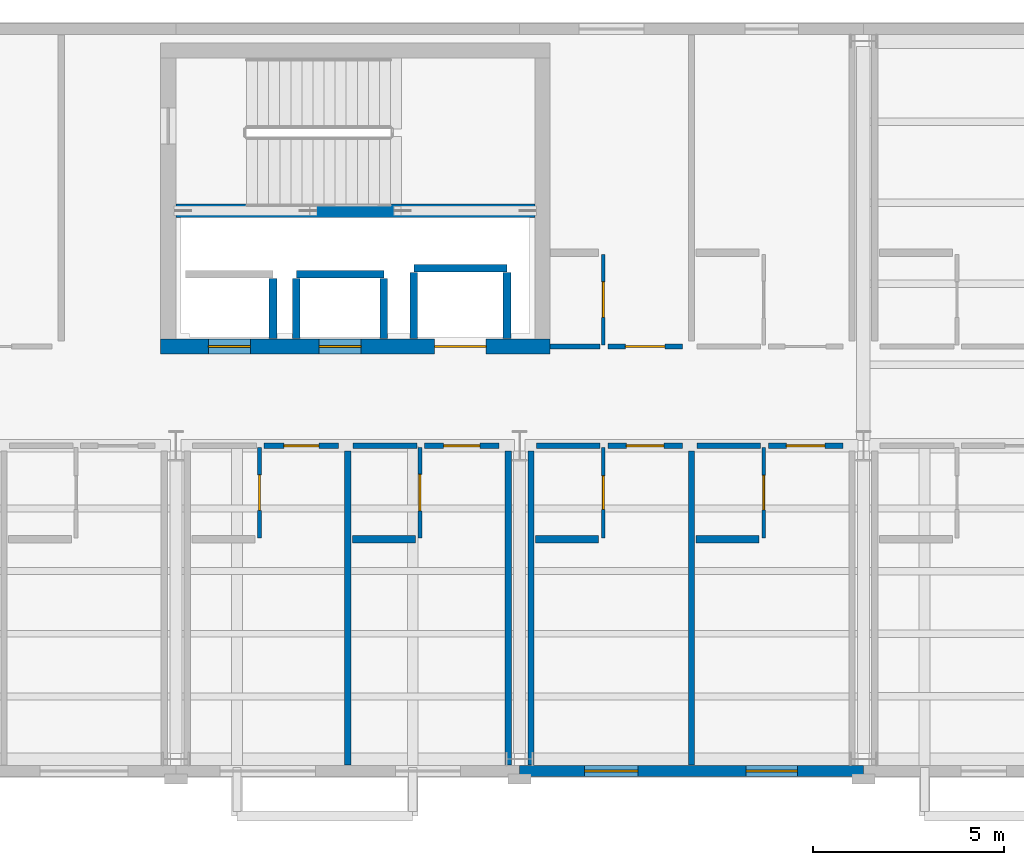
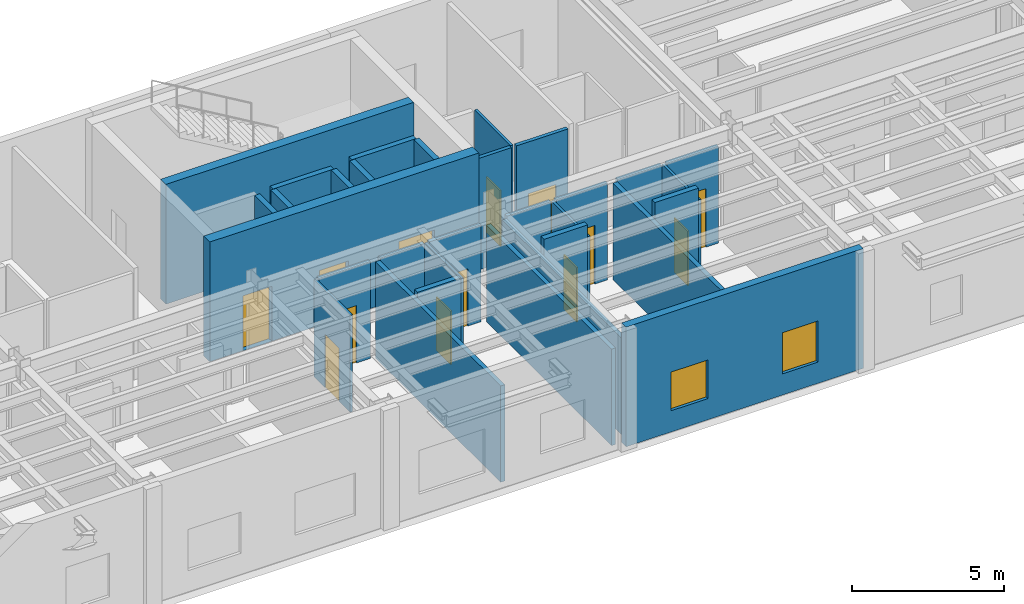
# One storey, part 71 of 91: 31 walls, 13 doors, 2 windows, 15 openings.
"""IFC4 building model written with IfcOpenShell, lengths in metres."""

from ifc_helpers import new_model, si_unit, direction, frame, frame_2d, origin, place, context, subcontext, project, spatial, rectangle, extrude, material, layer, layer_set, type_object, element, fill, save


model = new_model("IFC4")

# Units and contexts
model_context = context("Model", 3, precision=1e-05, world=origin(), true_north=direction((0.0, 1.0)))
body_context = subcontext(model_context, "Body", "Model", "MODEL_VIEW")
ifc_project = project(units=[si_unit("LENGTHUNIT", "METRE"), si_unit("AREAUNIT", "SQUARE_METRE"), si_unit("VOLUMEUNIT", "CUBIC_METRE"), si_unit("PLANEANGLEUNIT", "RADIAN"), si_unit("MASSUNIT", "GRAM", prefix="KILO")], contexts=[model_context])

# Site, building, storey
site_placement = place(None, origin())
site = spatial("IfcSite", under=ifc_project, at=site_placement, CompositionType="ELEMENT")
building_placement = place(site_placement, origin())
building = spatial("IfcBuilding", under=site, at=building_placement, Name="Sollismere Congress Hotel", CompositionType="ELEMENT")
storey_placement = place(building_placement, frame((0.0, 0.0, 10.800048828125)))
storey = spatial("IfcBuildingStorey", under=building, at=storey_placement, Name="L02", CompositionType="ELEMENT", Elevation=10.800048828125)

# Wall, openings, windows
ifc_material_1 = material(Name="Colorado Buff Sandstone Rainscreen on Insulated Backup", Category="masonry")
ifc_layer_1 = layer(ifc_material_1, 0.284912109375, Name="Colorado Buff Sandstone Rainscreen on Insulated Backup")
ifc_layer_set_1 = layer_set([ifc_layer_1], Name="Colorado Buff Sandstone Rainscreen on Insulated Backup")
wall_type_1 = type_object("IfcWallType", Name="WL-EXT285", PredefinedType="STANDARD", material=ifc_layer_set_1)
wall_1_placement = place(storey_placement, frame((103.0, -0.31005859375, 0.0), z_axis=(0.0, 0.0, 1.0), x_axis=(1.0, 0.0, 0.0)))
wall_1 = element("IfcWall", 1, at=wall_1_placement, inside=storey, type_object=wall_type_1, Name="Exterior wall EW-L02-342", PredefinedType="STANDARD", context=body_context, shape_type="SweptSolid", body=[
    extrude(rectangle(XDim=9.0, YDim=0.284912109375, at=frame_2d((4.5, 0.0))), origin(), (0.0, 0.0, 1.0), 4.800048828125),
])
opening_1_placement = place(wall_1_placement, frame((1.699951171875, 0.0, 0.85009765625)))
opening_1 = element("IfcOpeningElement", 2, at=opening_1_placement, cuts=wall_1, Name="Opening W-L02-275", PredefinedType="OPENING", context=body_context, shape_type="SweptSolid", body=[
    extrude(rectangle(XDim=1.39990234375, YDim=1.550048828125, at=frame_2d((0.699951171875, 0.77490234375))), frame((0.0, 0.15234375, 0.0), z_axis=(0.0, -1.0, 0.0), x_axis=(1.0, 0.0, 0.0)), (0.0, 0.0, 1.0), 0.304931640625),
])
opening_2_placement = place(wall_1_placement, frame((5.925048828125, 0.0, 0.85009765625)))
opening_2 = element("IfcOpeningElement", 3, at=opening_2_placement, cuts=wall_1, Name="Opening W-L02-276", PredefinedType="OPENING", context=body_context, shape_type="SweptSolid", body=[
    extrude(rectangle(XDim=1.35009765625, YDim=1.64990234375, at=frame_2d((0.675048828125, 0.824951171875))), frame((0.0, 0.15234375, 0.0), z_axis=(0.0, -1.0, 0.0), x_axis=(1.0, 0.0, 0.0)), (0.0, 0.0, 1.0), 0.304931640625),
])
ifc_material_2 = material(Name="Thermally Broken Bronze Aluminum & Low-E Glass", Category="aluminium")
window_type_1 = type_object("IfcWindowType", Name="WN-P135x165", PartitioningType="SINGLE_PANEL", PredefinedType="WINDOW", material=ifc_material_2)
window_1_placement = place(opening_2_placement, origin())
window_1 = element("IfcWindow", 4, at=window_1_placement, inside=storey, type_object=window_type_1, Name="WIN-W-L02-276", OverallHeight=1.64990234375, OverallWidth=1.35009765625, PartitioningType="SINGLE_PANEL", PredefinedType="WINDOW", context=body_context, shape_type="SweptSolid", body=[
    extrude(rectangle(XDim=1.35009765625, YDim=1.64990234375, at=frame_2d((0.675048828125, 0.824951171875))), frame((0.0, 0.030029296875, 0.0), z_axis=(0.0, -1.0, 0.0), x_axis=(1.0, 0.0, 0.0)), (0.0, 0.0, 1.0), 0.06005859375),
])
fill(opening_2, window_1)
window_type_2 = type_object("IfcWindowType", Name="WN-P140x155", PartitioningType="SINGLE_PANEL", PredefinedType="WINDOW", material=ifc_material_2)
window_2_placement = place(opening_1_placement, origin())
window_2 = element("IfcWindow", 5, at=window_2_placement, inside=storey, type_object=window_type_2, Name="WIN-W-L02-275", OverallHeight=1.550048828125, OverallWidth=1.39990234375, PartitioningType="SINGLE_PANEL", PredefinedType="WINDOW", context=body_context, shape_type="SweptSolid", body=[
    extrude(rectangle(XDim=1.39990234375, YDim=1.550048828125, at=frame_2d((0.699951171875, 0.77490234375))), frame((0.0, 0.030029296875, 0.0), z_axis=(0.0, -1.0, 0.0), x_axis=(1.0, 0.0, 0.0)), (0.0, 0.0, 1.0), 0.06005859375),
])
fill(opening_1, window_2)

# Walls
ifc_material_3 = material(Name="Moisture-Resistant Shaft Gypsum Assembly")
ifc_layer_2 = layer(ifc_material_3, 0.199951171875, Name="Moisture-Resistant Shaft Gypsum Assembly")
ifc_layer_set_2 = layer_set([ifc_layer_2], Name="Moisture-Resistant Shaft Gypsum Assembly")
wall_type_2 = type_object("IfcWallType", Name="WL-PLM200", PredefinedType="PLUMBINGWALL", material=ifc_layer_set_2)
wall_2_placement = place(storey_placement, frame((96.544921875, 11.011962890625, 0.0), z_axis=(0.0, 0.0, 1.0), x_axis=(0.0, 1.0, 0.0)))
element("IfcWall", 6, at=wall_2_placement, inside=storey, type_object=wall_type_2, Name="Interior wall IW-L02-0254", PredefinedType="PLUMBINGWALL", context=body_context, shape_type="SweptSolid", body=[
    extrude(rectangle(XDim=1.56591796875, YDim=0.199951171875, at=frame_2d((0.782958984375, 0.0))), origin(), (0.0, 0.0, 1.0), 4.474853515625),
])
wall_3_placement = place(storey_placement, frame((97.155029296875, 12.68994140625, 0.0), z_axis=(0.0, 0.0, 1.0), x_axis=(1.0, 0.0, 0.0)))
element("IfcWall", 7, at=wall_3_placement, inside=storey, type_object=wall_type_2, Name="Interior wall IW-L02-0255", PredefinedType="PLUMBINGWALL", context=body_context, shape_type="SweptSolid", body=[
    extrude(rectangle(XDim=2.2900390625, YDim=0.199951171875, at=frame_2d((1.14501953125, 0.0))), origin(), (0.0, 0.0, 1.0), 4.474853515625),
])
for number, where, z_axis, x_axis, name in (
    (8, (97.155029296875, 11.011962890625, 0.0), (0.0, 0.0, 1.0), (0.0, 1.0, 0.0), "Interior wall IW-L02-0256"),
    (9, (99.445068359375, 11.011962890625, 0.0), (0.0, 0.0, 1.0), (0.0, 1.0, 0.0), "Interior wall IW-L02-0257"),
):
    element("IfcWall", number, at=place(storey_placement, frame(where, z_axis=z_axis, x_axis=x_axis)), inside=storey, type_object=wall_type_2, Name=name, PredefinedType="PLUMBINGWALL", context=body_context, shape_type="SweptSolid", body=[
        extrude(rectangle(XDim=1.56591796875, YDim=0.199951171875, at=frame_2d((0.782958984375, 0.0))), origin(), (0.0, 0.0, 1.0), 4.474853515625),
    ])
wall_4_placement = place(storey_placement, frame((100.22998046875, 12.844970703125, 0.0), z_axis=(0.0, 0.0, 1.0), x_axis=(1.0, 0.0, 0.0)))
element("IfcWall", 10, at=wall_4_placement, inside=storey, type_object=wall_type_2, Name="Interior wall IW-L02-0258", PredefinedType="PLUMBINGWALL", context=body_context, shape_type="SweptSolid", body=[
    extrude(rectangle(XDim=2.43994140625, YDim=0.199951171875, at=frame_2d((1.219970703125, 0.0))), origin(), (0.0, 0.0, 1.0), 4.474853515625),
])
for number, where, z_axis, x_axis, name in (
    (11, (100.22998046875, 11.011962890625, 0.0), (0.0, 0.0, 1.0), (0.0, 1.0, 0.0), "Interior wall IW-L02-0259"),
    (12, (102.669921875, 11.011962890625, 0.0), (0.0, 0.0, 1.0), (0.0, 1.0, 0.0), "Interior wall IW-L02-0260"),
):
    element("IfcWall", number, at=place(storey_placement, frame(where, z_axis=z_axis, x_axis=x_axis)), inside=storey, type_object=wall_type_2, Name=name, PredefinedType="PLUMBINGWALL", context=body_context, shape_type="SweptSolid", body=[
        extrude(rectangle(XDim=1.720947265625, YDim=0.199951171875, at=frame_2d((0.8603515625, 0.0))), origin(), (0.0, 0.0, 1.0), 4.474853515625),
    ])
wall_5_placement = place(storey_placement, frame((98.6201171875, 5.75, 0.0), z_axis=(0.0, 0.0, 1.0), x_axis=(1.0, 0.0, 0.0)))
element("IfcWall", 13, at=wall_5_placement, inside=storey, type_object=wall_type_2, Name="Interior wall IW-L02-1070", PredefinedType="PLUMBINGWALL", context=body_context, shape_type="SweptSolid", body=[
    extrude(rectangle(XDim=1.64990234375, YDim=0.199951171875, at=frame_2d((0.824951171875, 0.0))), origin(), (0.0, 0.0, 1.0), 4.02783203125),
])
wall_6_placement = place(storey_placement, frame((103.419921875, 5.75, 0.0), z_axis=(0.0, 0.0, 1.0), x_axis=(1.0, 0.0, 0.0)))
element("IfcWall", 14, at=wall_6_placement, inside=storey, type_object=wall_type_2, Name="Interior wall IW-L02-1076", PredefinedType="PLUMBINGWALL", context=body_context, shape_type="SweptSolid", body=[
    extrude(rectangle(XDim=1.650146484375, YDim=0.199951171875, at=frame_2d((0.8251953125, 0.0))), origin(), (0.0, 0.0, 1.0), 4.474853515625),
])
wall_7_placement = place(storey_placement, frame((107.6201171875, 5.75, 0.0), z_axis=(0.0, 0.0, 1.0), x_axis=(1.0, 0.0, 0.0)))
element("IfcWall", 15, at=wall_7_placement, inside=storey, type_object=wall_type_2, Name="Interior wall IW-L02-1081", PredefinedType="PLUMBINGWALL", context=body_context, shape_type="SweptSolid", body=[
    extrude(rectangle(XDim=1.64990234375, YDim=0.199951171875, at=frame_2d((0.824951171875, 0.0))), origin(), (0.0, 0.0, 1.0), 4.474853515625),
])

# Wall, opening, door
ifc_material_4 = material(Name="Moisture-Resistant Gypsum Partition")
ifc_layer_3 = layer(ifc_material_4, 0.10009765625, Name="Moisture-Resistant Gypsum Partition")
ifc_layer_set_3 = layer_set([ifc_layer_3], Name="Moisture-Resistant Gypsum Partition")
wall_type_3 = type_object("IfcWallType", Name="WL-PRT100", PredefinedType="PARTITIONING", material=ifc_layer_set_3)
wall_8_placement = place(storey_placement, frame((96.18994140625, 5.7900390625, 0.0), z_axis=(0.0, 0.0, 1.0), x_axis=(0.0, 1.0, 0.0)))
wall_8 = element("IfcWall", 16, at=wall_8_placement, inside=storey, type_object=wall_type_3, Name="Interior wall IW-L02-1064", PredefinedType="PARTITIONING", context=body_context, shape_type="SweptSolid", body=[
    extrude(rectangle(XDim=2.369873046875, YDim=0.10009765625, at=frame_2d((1.18505859375, 0.0))), origin(), (0.0, 0.0, 1.0), 3.887939453125),
])
opening_3_placement = place(wall_8_placement, frame((0.719970703125, 0.0, 0.0)))
opening_3 = element("IfcOpeningElement", 17, at=opening_3_placement, cuts=wall_8, Name="Opening D-L02-0376", PredefinedType="OPENING", context=body_context, shape_type="SweptSolid", body=[
    extrude(rectangle(XDim=0.929931640625, YDim=2.139892578125, at=frame_2d((0.46484375, 1.06982421875))), frame((0.0, 0.06005859375, 0.0), z_axis=(0.0, -1.0, 0.0), x_axis=(1.0, 0.0, 0.0)), (0.0, 0.0, 1.0), 0.1201171875),
])
ifc_material_5 = material(Name="Moisture-Sealed Timber Bathroom Door", Category="wood")
door_type_1 = type_object("IfcDoorType", Name="DR-BT03", OperationType="NOTDEFINED", PredefinedType="DOOR", material=ifc_material_5)
door_1_placement = place(opening_3_placement, origin())
door_1 = element("IfcDoor", 18, at=door_1_placement, inside=storey, type_object=door_type_1, Name="En-suite bathroom door D-L02-0376", OperationType="SINGLE_SWING_LEFT", OverallHeight=2.139892578125, OverallWidth=0.929931640625, PredefinedType="DOOR", context=body_context, shape_type="SweptSolid", body=[
    extrude(rectangle(XDim=0.929931640625, YDim=2.139892578125, at=frame_2d((0.46484375, 1.06982421875))), frame((0.0, 0.02490234375, 0.0), z_axis=(0.0, -1.0, 0.0), x_axis=(1.0, 0.0, 0.0)), (0.0, 0.0, 1.0), 0.050048828125),
])
fill(opening_3, door_1)

wall_9_placement = place(storey_placement, frame((100.389892578125, 5.7900390625, 0.0), z_axis=(0.0, 0.0, 1.0), x_axis=(0.0, 1.0, 0.0)))
wall_9 = element("IfcWall", 19, at=wall_9_placement, inside=storey, type_object=wall_type_3, Name="Interior wall IW-L02-1069", PredefinedType="PARTITIONING", context=body_context, shape_type="SweptSolid", body=[
    extrude(rectangle(XDim=2.369873046875, YDim=0.10009765625, at=frame_2d((1.18505859375, 0.0))), origin(), (0.0, 0.0, 1.0), 3.887939453125),
])
opening_4_placement = place(wall_9_placement, frame((0.7080078125, 0.0, 0.0)))
opening_4 = element("IfcOpeningElement", 20, at=opening_4_placement, cuts=wall_9, Name="Opening D-L02-0378", PredefinedType="OPENING", context=body_context, shape_type="SweptSolid", body=[
    extrude(rectangle(XDim=0.955078125, YDim=2.139892578125, at=frame_2d((0.4775390625, 1.06982421875))), frame((0.0, 0.06005859375, 0.0), z_axis=(0.0, -1.0, 0.0), x_axis=(1.0, 0.0, 0.0)), (0.0, 0.0, 1.0), 0.1201171875),
])
door_type_2 = type_object("IfcDoorType", Name="DR-BT04", OperationType="NOTDEFINED", PredefinedType="DOOR", material=ifc_material_5)
door_2_placement = place(opening_4_placement, origin())
door_2 = element("IfcDoor", 21, at=door_2_placement, inside=storey, type_object=door_type_2, Name="En-suite bathroom door D-L02-0378", OperationType="SINGLE_SWING_LEFT", OverallHeight=2.139892578125, OverallWidth=0.955078125, PredefinedType="DOOR", context=body_context, shape_type="SweptSolid", body=[
    extrude(rectangle(XDim=0.955078125, YDim=2.139892578125, at=frame_2d((0.4775390625, 1.06982421875))), frame((0.0, 0.02490234375, 0.0), z_axis=(0.0, -1.0, 0.0), x_axis=(1.0, 0.0, 0.0)), (0.0, 0.0, 1.0), 0.050048828125),
])
fill(opening_4, door_2)

wall_10_placement = place(storey_placement, frame((105.18994140625, 5.7900390625, 0.0), z_axis=(0.0, 0.0, 1.0), x_axis=(0.0, 1.0, 0.0)))
wall_10 = element("IfcWall", 22, at=wall_10_placement, inside=storey, type_object=wall_type_3, Name="Interior wall IW-L02-1075", PredefinedType="PARTITIONING", context=body_context, shape_type="SweptSolid", body=[
    extrude(rectangle(XDim=2.369873046875, YDim=0.10009765625, at=frame_2d((1.18505859375, 0.0))), origin(), (0.0, 0.0, 1.0), 3.887939453125),
])
opening_5_placement = place(wall_10_placement, frame((0.7451171875, 0.0, 0.0)))
opening_5 = element("IfcOpeningElement", 23, at=opening_5_placement, cuts=wall_10, Name="Opening D-L02-0380", PredefinedType="OPENING", context=body_context, shape_type="SweptSolid", body=[
    extrude(rectangle(XDim=0.8798828125, YDim=2.179931640625, at=frame_2d((0.43994140625, 1.08984375))), frame((0.0, 0.06005859375, 0.0), z_axis=(0.0, -1.0, 0.0), x_axis=(1.0, 0.0, 0.0)), (0.0, 0.0, 1.0), 0.1201171875),
])
door_type_3 = type_object("IfcDoorType", Name="DR-BT05", OperationType="NOTDEFINED", PredefinedType="DOOR", material=ifc_material_5)
door_3_placement = place(opening_5_placement, origin())
door_3 = element("IfcDoor", 24, at=door_3_placement, inside=storey, type_object=door_type_3, Name="En-suite bathroom door D-L02-0380", OperationType="SINGLE_SWING_LEFT", OverallHeight=2.179931640625, OverallWidth=0.8798828125, PredefinedType="DOOR", context=body_context, shape_type="SweptSolid", body=[
    extrude(rectangle(XDim=0.8798828125, YDim=2.179931640625, at=frame_2d((0.43994140625, 1.08984375))), frame((0.0, 0.02490234375, 0.0), z_axis=(0.0, -1.0, 0.0), x_axis=(1.0, 0.0, 0.0)), (0.0, 0.0, 1.0), 0.050048828125),
])
fill(opening_5, door_3)

wall_11_placement = place(storey_placement, frame((109.389892578125, 5.7900390625, 0.0), z_axis=(0.0, 0.0, 1.0), x_axis=(0.0, 1.0, 0.0)))
wall_11 = element("IfcWall", 25, at=wall_11_placement, inside=storey, type_object=wall_type_3, Name="Interior wall IW-L02-1080", PredefinedType="PARTITIONING", context=body_context, shape_type="SweptSolid", body=[
    extrude(rectangle(XDim=2.369873046875, YDim=0.10009765625, at=frame_2d((1.18505859375, 0.0))), origin(), (0.0, 0.0, 1.0), 3.887939453125),
])
opening_6_placement = place(wall_11_placement, frame((0.73291015625, 0.0, 0.0)))
opening_6 = element("IfcOpeningElement", 26, at=opening_6_placement, cuts=wall_11, Name="Opening D-L02-0382", PredefinedType="OPENING", context=body_context, shape_type="SweptSolid", body=[
    extrude(rectangle(XDim=0.905029296875, YDim=2.179931640625, at=frame_2d((0.45263671875, 1.08984375))), frame((0.0, 0.06005859375, 0.0), z_axis=(0.0, -1.0, 0.0), x_axis=(1.0, 0.0, 0.0)), (0.0, 0.0, 1.0), 0.1201171875),
])
door_type_4 = type_object("IfcDoorType", Name="DR-BT06", OperationType="NOTDEFINED", PredefinedType="DOOR", material=ifc_material_5)
door_4_placement = place(opening_6_placement, origin())
door_4 = element("IfcDoor", 27, at=door_4_placement, inside=storey, type_object=door_type_4, Name="En-suite bathroom door D-L02-0382", OperationType="SINGLE_SWING_LEFT", OverallHeight=2.179931640625, OverallWidth=0.905029296875, PredefinedType="DOOR", context=body_context, shape_type="SweptSolid", body=[
    extrude(rectangle(XDim=0.905029296875, YDim=2.179931640625, at=frame_2d((0.45263671875, 1.08984375))), frame((0.0, 0.02490234375, 0.0), z_axis=(0.0, -1.0, 0.0), x_axis=(1.0, 0.0, 0.0)), (0.0, 0.0, 1.0), 0.050048828125),
])
fill(opening_6, door_4)

wall_12_placement = place(storey_placement, frame((105.18994140625, 10.840087890625, 0.0), z_axis=(0.0, 0.0, 1.0), x_axis=(0.0, 1.0, 0.0)))
wall_12 = element("IfcWall", 28, at=wall_12_placement, inside=storey, type_object=wall_type_3, Name="Interior wall IW-L02-1085", PredefinedType="PARTITIONING", context=body_context, shape_type="SweptSolid", body=[
    extrude(rectangle(XDim=2.369873046875, YDim=0.10009765625, at=frame_2d((1.18505859375, 0.0))), origin(), (0.0, 0.0, 1.0), 4.474853515625),
])
opening_7_placement = place(wall_12_placement, frame((0.719970703125, 0.0, 0.0)))
opening_7 = element("IfcOpeningElement", 29, at=opening_7_placement, cuts=wall_12, Name="Opening D-L02-0384", PredefinedType="OPENING", context=body_context, shape_type="SweptSolid", body=[
    extrude(rectangle(XDim=0.929931640625, YDim=2.219970703125, at=frame_2d((0.46484375, 1.10986328125))), frame((0.0, 0.06005859375, 0.0), z_axis=(0.0, -1.0, 0.0), x_axis=(1.0, 0.0, 0.0)), (0.0, 0.0, 1.0), 0.1201171875),
])
door_type_5 = type_object("IfcDoorType", Name="DR-BT07", OperationType="NOTDEFINED", PredefinedType="DOOR", material=ifc_material_5)
door_5_placement = place(opening_7_placement, origin())
door_5 = element("IfcDoor", 30, at=door_5_placement, inside=storey, type_object=door_type_5, Name="En-suite bathroom door D-L02-0384", OperationType="SINGLE_SWING_LEFT", OverallHeight=2.219970703125, OverallWidth=0.929931640625, PredefinedType="DOOR", context=body_context, shape_type="SweptSolid", body=[
    extrude(rectangle(XDim=0.929931640625, YDim=2.219970703125, at=frame_2d((0.46484375, 1.10986328125))), frame((0.0, 0.02490234375, 0.0), z_axis=(0.0, -1.0, 0.0), x_axis=(1.0, 0.0, 0.0)), (0.0, 0.0, 1.0), 0.050048828125),
])
fill(opening_7, door_5)

ifc_material_6 = material(Name="Fire-Rated Gypsum Partition")
ifc_layer_4 = layer(ifc_material_6, 0.139892578125, Name="Fire-Rated Gypsum Partition")
ifc_layer_set_4 = layer_set([ifc_layer_4], Name="Fire-Rated Gypsum Partition")
wall_type_4 = type_object("IfcWallType", Name="WL-PRT140R", PredefinedType="PARTITIONING", material=ifc_layer_set_4)
wall_13_placement = place(storey_placement, frame((96.31005859375, 8.199951171875, 0.0), z_axis=(0.0, 0.0, 1.0), x_axis=(1.0, 0.0, 0.0)))
wall_13 = element("IfcWall", 31, at=wall_13_placement, inside=storey, type_object=wall_type_4, Name="Interior wall IW-L02-1061", PredefinedType="PARTITIONING", context=body_context, shape_type="SweptSolid", body=[
    extrude(rectangle(XDim=1.949951171875, YDim=0.139892578125, at=frame_2d((0.97509765625, 0.0))), origin(), (0.0, 0.0, 1.0), 3.887939453125),
])
opening_8_placement = place(wall_13_placement, frame((0.514892578125, 0.0, 0.0)))
opening_8 = element("IfcOpeningElement", 32, at=opening_8_placement, cuts=wall_13, Name="Opening D-L02-0375", PredefinedType="OPENING", context=body_context, shape_type="SweptSolid", body=[
    extrude(rectangle(XDim=0.919921875, YDim=2.300048828125, at=frame_2d((0.4599609375, 1.14990234375))), frame((0.0, 0.079833984375, 0.0), z_axis=(0.0, -1.0, 0.0), x_axis=(1.0, 0.0, 0.0)), (0.0, 0.0, 1.0), 0.159912109375),
])
ifc_material_7 = material(Name="Solid-Core Acoustic Walnut Guestroom Entry Door")
door_type_6 = type_object("IfcDoorType", Name="DR-KY07", OperationType="NOTDEFINED", PredefinedType="DOOR", material=ifc_material_7)
door_6_placement = place(opening_8_placement, origin())
door_6 = element("IfcDoor", 33, at=door_6_placement, inside=storey, type_object=door_type_6, Name="Hotel room entry door D-L02-0375", OperationType="SINGLE_SWING_RIGHT", OverallHeight=2.300048828125, OverallWidth=0.919921875, PredefinedType="DOOR", context=body_context, shape_type="SweptSolid", body=[
    extrude(rectangle(XDim=0.919921875, YDim=2.300048828125, at=frame_2d((0.4599609375, 1.14990234375))), frame((0.0, 0.02490234375, 0.0), z_axis=(0.0, -1.0, 0.0), x_axis=(1.0, 0.0, 0.0)), (0.0, 0.0, 1.0), 0.050048828125),
])
fill(opening_8, door_6)

# Wall
wall_14_placement = place(storey_placement, frame((98.639892578125, 8.199951171875, 0.0), z_axis=(0.0, 0.0, 1.0), x_axis=(1.0, 0.0, 0.0)))
element("IfcWall", 34, at=wall_14_placement, inside=storey, type_object=wall_type_4, Name="Interior wall IW-L02-1066", PredefinedType="PARTITIONING", context=body_context, shape_type="SweptSolid", body=[
    extrude(rectangle(XDim=1.670166015625, YDim=0.139892578125, at=frame_2d((0.8349609375, 0.0))), origin(), (0.0, 0.0, 1.0), 3.887939453125),
])

# Wall, opening, door
wall_15_placement = place(storey_placement, frame((100.510009765625, 8.199951171875, 0.0), z_axis=(0.0, 0.0, 1.0), x_axis=(1.0, 0.0, 0.0)))
wall_15 = element("IfcWall", 35, at=wall_15_placement, inside=storey, type_object=wall_type_4, Name="Interior wall IW-L02-1067", PredefinedType="PARTITIONING", context=body_context, shape_type="SweptSolid", body=[
    extrude(rectangle(XDim=1.949951171875, YDim=0.139892578125, at=frame_2d((0.97509765625, 0.0))), origin(), (0.0, 0.0, 1.0), 3.887939453125),
])
opening_9_placement = place(wall_15_placement, frame((0.5, 0.0, 0.0)))
opening_9 = element("IfcOpeningElement", 36, at=opening_9_placement, cuts=wall_15, Name="Opening D-L02-0377", PredefinedType="OPENING", context=body_context, shape_type="SweptSolid", body=[
    extrude(rectangle(XDim=0.949951171875, YDim=2.300048828125, at=frame_2d((0.47509765625, 1.14990234375))), frame((0.0, 0.079833984375, 0.0), z_axis=(0.0, -1.0, 0.0), x_axis=(1.0, 0.0, 0.0)), (0.0, 0.0, 1.0), 0.159912109375),
])
door_type_7 = type_object("IfcDoorType", Name="DR-KY08", OperationType="NOTDEFINED", PredefinedType="DOOR", material=ifc_material_7)
door_7_placement = place(opening_9_placement, origin())
door_7 = element("IfcDoor", 37, at=door_7_placement, inside=storey, type_object=door_type_7, Name="Hotel room entry door D-L02-0377", OperationType="SINGLE_SWING_RIGHT", OverallHeight=2.300048828125, OverallWidth=0.949951171875, PredefinedType="DOOR", context=body_context, shape_type="SweptSolid", body=[
    extrude(rectangle(XDim=0.949951171875, YDim=2.300048828125, at=frame_2d((0.47509765625, 1.14990234375))), frame((0.0, 0.02490234375, 0.0), z_axis=(0.0, -1.0, 0.0), x_axis=(1.0, 0.0, 0.0)), (0.0, 0.0, 1.0), 0.050048828125),
])
fill(opening_9, door_7)

# Wall
wall_16_placement = place(storey_placement, frame((103.43994140625, 8.199951171875, 0.0), z_axis=(0.0, 0.0, 1.0), x_axis=(1.0, 0.0, 0.0)))
element("IfcWall", 38, at=wall_16_placement, inside=storey, type_object=wall_type_4, Name="Interior wall IW-L02-1071", PredefinedType="PARTITIONING", context=body_context, shape_type="SweptSolid", body=[
    extrude(rectangle(XDim=1.670166015625, YDim=0.139892578125, at=frame_2d((0.8349609375, 0.0))), origin(), (0.0, 0.0, 1.0), 3.887939453125),
])

# Wall, opening, door
wall_17_placement = place(storey_placement, frame((105.31005859375, 8.199951171875, 0.0), z_axis=(0.0, 0.0, 1.0), x_axis=(1.0, 0.0, 0.0)))
wall_17 = element("IfcWall", 39, at=wall_17_placement, inside=storey, type_object=wall_type_4, Name="Interior wall IW-L02-1072", PredefinedType="PARTITIONING", context=body_context, shape_type="SweptSolid", body=[
    extrude(rectangle(XDim=1.949951171875, YDim=0.139892578125, at=frame_2d((0.97509765625, 0.0))), origin(), (0.0, 0.0, 1.0), 3.887939453125),
])
opening_10_placement = place(wall_17_placement, frame((0.485107421875, 0.0, 0.0)))
opening_10 = element("IfcOpeningElement", 40, at=opening_10_placement, cuts=wall_17, Name="Opening D-L02-0379", PredefinedType="OPENING", context=body_context, shape_type="SweptSolid", body=[
    extrude(rectangle(XDim=0.97998046875, YDim=2.35009765625, at=frame_2d((0.489990234375, 1.175048828125))), frame((0.0, 0.079833984375, 0.0), z_axis=(0.0, -1.0, 0.0), x_axis=(1.0, 0.0, 0.0)), (0.0, 0.0, 1.0), 0.159912109375),
])
door_type_8 = type_object("IfcDoorType", Name="DR-KY09", OperationType="NOTDEFINED", PredefinedType="DOOR", material=ifc_material_7)
door_8_placement = place(opening_10_placement, origin())
door_8 = element("IfcDoor", 41, at=door_8_placement, inside=storey, type_object=door_type_8, Name="Hotel room entry door D-L02-0379", OperationType="SINGLE_SWING_RIGHT", OverallHeight=2.35009765625, OverallWidth=0.97998046875, PredefinedType="DOOR", context=body_context, shape_type="SweptSolid", body=[
    extrude(rectangle(XDim=0.97998046875, YDim=2.35009765625, at=frame_2d((0.489990234375, 1.175048828125))), frame((0.0, 0.02490234375, 0.0), z_axis=(0.0, -1.0, 0.0), x_axis=(1.0, 0.0, 0.0)), (0.0, 0.0, 1.0), 0.050048828125),
])
fill(opening_10, door_8)

# Wall
wall_18_placement = place(storey_placement, frame((107.639892578125, 8.199951171875, 0.0), z_axis=(0.0, 0.0, 1.0), x_axis=(1.0, 0.0, 0.0)))
element("IfcWall", 42, at=wall_18_placement, inside=storey, type_object=wall_type_4, Name="Interior wall IW-L02-1077", PredefinedType="PARTITIONING", context=body_context, shape_type="SweptSolid", body=[
    extrude(rectangle(XDim=1.670166015625, YDim=0.139892578125, at=frame_2d((0.8349609375, 0.0))), origin(), (0.0, 0.0, 1.0), 3.887939453125),
])

# Wall, opening, door
wall_19_placement = place(storey_placement, frame((109.510009765625, 8.199951171875, 0.0), z_axis=(0.0, 0.0, 1.0), x_axis=(1.0, 0.0, 0.0)))
wall_19 = element("IfcWall", 43, at=wall_19_placement, inside=storey, type_object=wall_type_4, Name="Interior wall IW-L02-1078", PredefinedType="PARTITIONING", context=body_context, shape_type="SweptSolid", body=[
    extrude(rectangle(XDim=1.949951171875, YDim=0.139892578125, at=frame_2d((0.97509765625, 0.0))), origin(), (0.0, 0.0, 1.0), 3.887939453125),
])
opening_11_placement = place(wall_19_placement, frame((0.469970703125, 0.0, 0.0)))
opening_11 = element("IfcOpeningElement", 44, at=opening_11_placement, cuts=wall_19, Name="Opening D-L02-0381", PredefinedType="OPENING", context=body_context, shape_type="SweptSolid", body=[
    extrude(rectangle(XDim=1.010009765625, YDim=2.35009765625, at=frame_2d((0.5048828125, 1.175048828125))), frame((0.0, 0.079833984375, 0.0), z_axis=(0.0, -1.0, 0.0), x_axis=(1.0, 0.0, 0.0)), (0.0, 0.0, 1.0), 0.159912109375),
])
door_type_9 = type_object("IfcDoorType", Name="DR-KY10", OperationType="NOTDEFINED", PredefinedType="DOOR", material=ifc_material_7)
door_9_placement = place(opening_11_placement, origin())
door_9 = element("IfcDoor", 45, at=door_9_placement, inside=storey, type_object=door_type_9, Name="Hotel room entry door D-L02-0381", OperationType="SINGLE_SWING_RIGHT", OverallHeight=2.35009765625, OverallWidth=1.010009765625, PredefinedType="DOOR", context=body_context, shape_type="SweptSolid", body=[
    extrude(rectangle(XDim=1.010009765625, YDim=2.35009765625, at=frame_2d((0.5048828125, 1.175048828125))), frame((0.0, 0.02490234375, 0.0), z_axis=(0.0, -1.0, 0.0), x_axis=(1.0, 0.0, 0.0)), (0.0, 0.0, 1.0), 0.050048828125),
])
fill(opening_11, door_9)

# Wall
wall_20_placement = place(storey_placement, frame((103.800048828125, 10.800048828125, 0.0), z_axis=(0.0, 0.0, 1.0), x_axis=(1.0, 0.0, 0.0)))
element("IfcWall", 46, at=wall_20_placement, inside=storey, type_object=wall_type_4, Name="Interior wall IW-L02-1082", PredefinedType="PARTITIONING", context=body_context, shape_type="SweptSolid", body=[
    extrude(rectangle(XDim=1.31005859375, YDim=0.139892578125, at=frame_2d((0.655029296875, 0.0))), origin(), (0.0, 0.0, 1.0), 4.474853515625),
])

# Wall, opening, door
wall_21_placement = place(storey_placement, frame((105.31005859375, 10.800048828125, 0.0), z_axis=(0.0, 0.0, 1.0), x_axis=(1.0, 0.0, 0.0)))
wall_21 = element("IfcWall", 47, at=wall_21_placement, inside=storey, type_object=wall_type_4, Name="Interior wall IW-L02-1083", PredefinedType="PARTITIONING", context=body_context, shape_type="SweptSolid", body=[
    extrude(rectangle(XDim=1.949951171875, YDim=0.139892578125, at=frame_2d((0.97509765625, 0.0))), origin(), (0.0, 0.0, 1.0), 4.474853515625),
])
opening_12_placement = place(wall_21_placement, frame((0.455078125, 0.0, 0.0)))
opening_12 = element("IfcOpeningElement", 48, at=opening_12_placement, cuts=wall_21, Name="Opening D-L02-0383", PredefinedType="OPENING", context=body_context, shape_type="SweptSolid", body=[
    extrude(rectangle(XDim=1.0400390625, YDim=2.39990234375, at=frame_2d((0.52001953125, 1.199951171875))), frame((0.0, 0.079833984375, 0.0), z_axis=(0.0, -1.0, 0.0), x_axis=(1.0, 0.0, 0.0)), (0.0, 0.0, 1.0), 0.159912109375),
])
door_type_10 = type_object("IfcDoorType", Name="DR-KY11", OperationType="NOTDEFINED", PredefinedType="DOOR", material=ifc_material_7)
door_10_placement = place(opening_12_placement, origin())
door_10 = element("IfcDoor", 49, at=door_10_placement, inside=storey, type_object=door_type_10, Name="Hotel room entry door D-L02-0383", OperationType="SINGLE_SWING_RIGHT", OverallHeight=2.39990234375, OverallWidth=1.0400390625, PredefinedType="DOOR", context=body_context, shape_type="SweptSolid", body=[
    extrude(rectangle(XDim=1.0400390625, YDim=2.39990234375, at=frame_2d((0.52001953125, 1.199951171875))), frame((0.0, 0.02490234375, 0.0), z_axis=(0.0, -1.0, 0.0), x_axis=(1.0, 0.0, 0.0)), (0.0, 0.0, 1.0), 0.050048828125),
])
fill(opening_12, door_10)

# Walls
ifc_material_8 = material(Name="Fire-Rated Acoustic Gypsum Partition")
ifc_layer_5 = layer(ifc_material_8, 0.1650390625, Name="Fire-Rated Acoustic Gypsum Partition")
ifc_layer_set_5 = layer_set([ifc_layer_5], Name="Fire-Rated Acoustic Gypsum Partition")
wall_type_5 = type_object("IfcWallType", Name="WL-PRT165R", PredefinedType="PARTITIONING", material=ifc_layer_set_5)
for number, where, z_axis, x_axis, name in (
    (50, (98.5, -0.152587890625, 0.0), (0.0, 0.0, 1.0), (0.0, 1.0, 0.0), "Interior wall IW-L02-1063"),
    (51, (102.699951171875, -0.152587890625, 0.0), (0.0, 0.0, 1.0), (0.0, 1.0, 0.0), "Interior wall IW-L02-1068"),
    (52, (103.300048828125, -0.152587890625, 0.0), (0.0, 0.0, 1.0), (0.0, 1.0, 0.0), "Interior wall IW-L02-1073"),
    (53, (107.5, -0.152587890625, 0.0), (0.0, 0.0, 1.0), (0.0, 1.0, 0.0), "Interior wall IW-L02-1074"),
):
    element("IfcWall", number, at=place(storey_placement, frame(where, z_axis=z_axis, x_axis=x_axis)), inside=storey, type_object=wall_type_5, Name=name, PredefinedType="PARTITIONING", context=body_context, shape_type="SweptSolid", body=[
        extrude(rectangle(XDim=8.212646484375, YDim=0.1650390625, at=frame_2d((4.1064453125, 0.0))), origin(), (0.0, 0.0, 1.0), 3.864990234375),
    ])
ifc_material_9 = material(Name="Concrete C50/60", Category="concrete")
ifc_layer_6 = layer(ifc_material_9, 0.35009765625, Name="Concrete C50/60")
ifc_layer_set_6 = layer_set([ifc_layer_6], Name="Concrete C50/60")
wall_type_6 = type_object("IfcWallType", Name="WL-SHR350", PredefinedType="SHEAR", material=ifc_layer_set_6)
wall_22_placement = place(storey_placement, frame((94.0, 14.35009765625, 0.0), z_axis=(0.0, 0.0, 1.0), x_axis=(1.0, 0.0, 0.0)))
element("IfcWall", 54, at=wall_22_placement, inside=storey, type_object=wall_type_6, Name="Interior wall IW-L02-0252", PredefinedType="SHEAR", context=body_context, shape_type="SweptSolid", body=[
    extrude(rectangle(XDim=9.39990234375, YDim=0.35009765625, at=frame_2d((4.699951171875, 0.0))), origin(), (0.0, 0.0, 1.0), 4.800048828125),
])

# Wall, openings, doors
ifc_layer_7 = layer(ifc_material_9, 0.39990234375, Name="Concrete C50/60")
ifc_layer_set_7 = layer_set([ifc_layer_7], Name="Concrete C50/60")
wall_type_7 = type_object("IfcWallType", Name="WL-SHR400", PredefinedType="SHEAR", material=ifc_layer_set_7)
wall_23_placement = place(storey_placement, frame((93.60009765625, 10.800048828125, 0.0), z_axis=(0.0, 0.0, 1.0), x_axis=(1.0, 0.0, 0.0)))
wall_23 = element("IfcWall", 55, at=wall_23_placement, inside=storey, type_object=wall_type_7, Name="Interior wall IW-L02-0248", PredefinedType="SHEAR", context=body_context, shape_type="SweptSolid", body=[
    extrude(rectangle(XDim=10.199951171875, YDim=0.39990234375, at=frame_2d((5.10009765625, 0.0))), origin(), (0.0, 0.0, 1.0), 4.800048828125),
])
opening_13_placement = place(wall_23_placement, frame((1.25, 0.0, 0.0)))
opening_13 = element("IfcOpeningElement", 56, at=opening_13_placement, cuts=wall_23, Name="Opening LD-LP-03-L02", PredefinedType="OPENING", context=body_context, shape_type="SweptSolid", body=[
    extrude(rectangle(XDim=1.10009765625, YDim=2.199951171875, at=frame_2d((0.550048828125, 1.10009765625))), frame((0.0, 0.2099609375, 0.0), z_axis=(0.0, -1.0, 0.0), x_axis=(1.0, 0.0, 0.0)), (0.0, 0.0, 1.0), 0.419921875),
])
opening_14_placement = place(wall_23_placement, frame((4.14990234375, 0.0, 0.0)))
opening_14 = element("IfcOpeningElement", 57, at=opening_14_placement, cuts=wall_23, Name="Opening LD-LP-04-L02", PredefinedType="OPENING", context=body_context, shape_type="SweptSolid", body=[
    extrude(rectangle(XDim=1.10009765625, YDim=2.199951171875, at=frame_2d((0.550048828125, 1.10009765625))), frame((0.0, 0.2099609375, 0.0), z_axis=(0.0, -1.0, 0.0), x_axis=(1.0, 0.0, 0.0)), (0.0, 0.0, 1.0), 0.419921875),
])
opening_15_placement = place(wall_23_placement, frame((7.175048828125, 0.0, 0.0)))
opening_15 = element("IfcOpeningElement", 58, at=opening_15_placement, cuts=wall_23, Name="Opening LD-LS-01-L02", PredefinedType="OPENING", context=body_context, shape_type="SweptSolid", body=[
    extrude(rectangle(XDim=1.35009765625, YDim=2.300048828125, at=frame_2d((0.675048828125, 1.14990234375))), frame((0.0, 0.2099609375, 0.0), z_axis=(0.0, -1.0, 0.0), x_axis=(1.0, 0.0, 0.0)), (0.0, 0.0, 1.0), 0.419921875),
])
ifc_material_10 = material(Name="Brushed Bronze Sliding Elevator Landing Door")
door_type_11 = type_object("IfcDoorType", Name="DR-LD110", OperationType="NOTDEFINED", PredefinedType="DOOR", material=ifc_material_10)
door_11_placement = place(opening_13_placement, origin())
door_11 = element("IfcDoor", 59, at=door_11_placement, inside=storey, type_object=door_type_11, Name="Elevator landing door LD-LP-03-L02", OperationType="SLIDING_TO_LEFT", OverallHeight=2.199951171875, OverallWidth=1.10009765625, PredefinedType="DOOR", context=body_context, shape_type="SweptSolid", body=[
    extrude(rectangle(XDim=1.10009765625, YDim=2.199951171875, at=frame_2d((0.550048828125, 1.10009765625))), frame((0.0, 0.02490234375, 0.0), z_axis=(0.0, -1.0, 0.0), x_axis=(1.0, 0.0, 0.0)), (0.0, 0.0, 1.0), 0.050048828125),
])
fill(opening_13, door_11)
door_12_placement = place(opening_14_placement, origin())
door_12 = element("IfcDoor", 60, at=door_12_placement, inside=storey, type_object=door_type_11, Name="Elevator landing door LD-LP-04-L02", OperationType="SLIDING_TO_RIGHT", OverallHeight=2.199951171875, OverallWidth=1.10009765625, PredefinedType="DOOR", context=body_context, shape_type="SweptSolid", body=[
    extrude(rectangle(XDim=1.10009765625, YDim=2.199951171875, at=frame_2d((0.550048828125, 1.10009765625))), frame((0.0, 0.02490234375, 0.0), z_axis=(0.0, -1.0, 0.0), x_axis=(1.0, 0.0, 0.0)), (0.0, 0.0, 1.0), 0.050048828125),
])
fill(opening_14, door_12)
ifc_material_11 = material(Name="Heavy-Duty Stainless Sliding Service Landing Door")
door_type_12 = type_object("IfcDoorType", Name="DR-LD135", OperationType="NOTDEFINED", PredefinedType="DOOR", material=ifc_material_11)
door_13_placement = place(opening_15_placement, origin())
door_13 = element("IfcDoor", 61, at=door_13_placement, inside=storey, type_object=door_type_12, Name="Elevator landing door LD-LS-01-L02", OperationType="SLIDING_TO_LEFT", OverallHeight=2.300048828125, OverallWidth=1.35009765625, PredefinedType="DOOR", context=body_context, shape_type="SweptSolid", body=[
    extrude(rectangle(XDim=1.35009765625, YDim=2.300048828125, at=frame_2d((0.675048828125, 1.14990234375))), frame((0.0, 0.02490234375, 0.0), z_axis=(0.0, -1.0, 0.0), x_axis=(1.0, 0.0, 0.0)), (0.0, 0.0, 1.0), 0.050048828125),
])
fill(opening_15, door_13)

save(model, "model.ifc")
